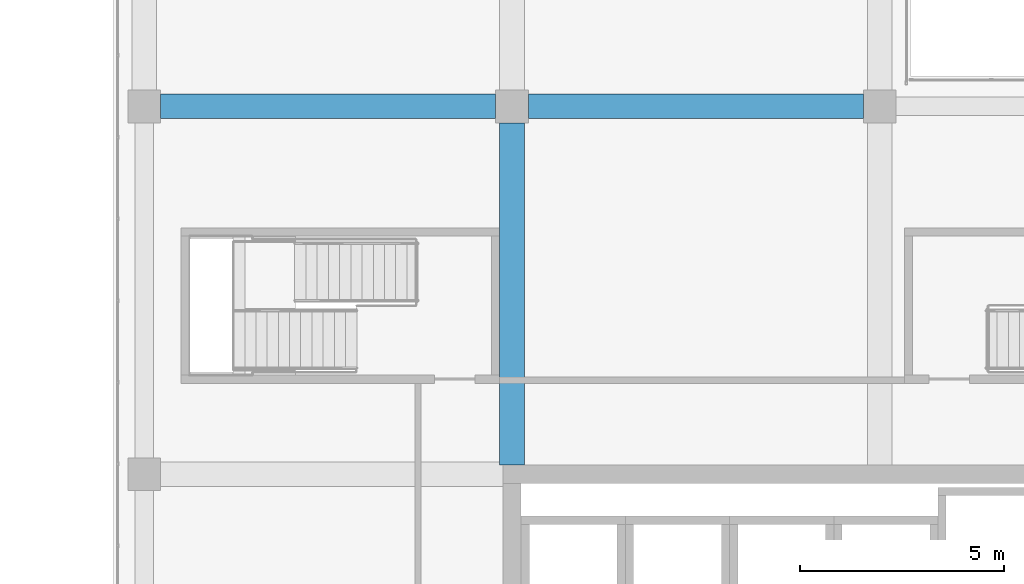
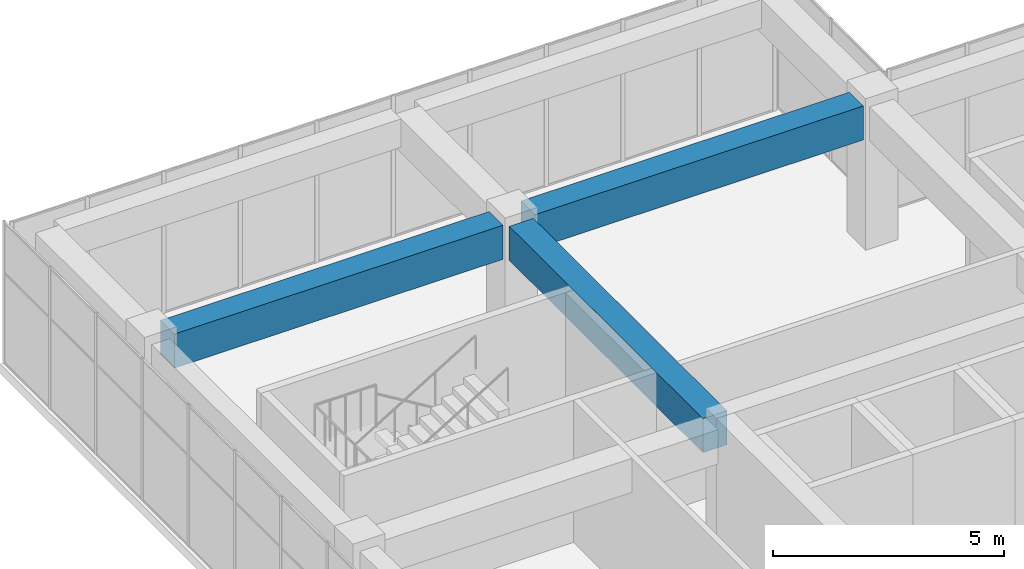
# One storey, part 31 of 66: 3 beams.
"""IFC4 building model written with IfcOpenShell, lengths in metres."""

from ifc_helpers import new_model, si_unit, direction, frame, origin, origin_2d, place, context, subcontext, project, spatial, rectangle, extrude, material, material_profile, profile_set, type_object, element, save


model = new_model("IFC4")

# Units and contexts
model_context = context("Model", 3, precision=1e-05, world=origin(), true_north=direction((0.0, 1.0)))
body_context = subcontext(model_context, "Body", "Model", "MODEL_VIEW")
ifc_project = project(units=[si_unit("LENGTHUNIT", "METRE"), si_unit("AREAUNIT", "SQUARE_METRE"), si_unit("VOLUMEUNIT", "CUBIC_METRE"), si_unit("PLANEANGLEUNIT", "RADIAN"), si_unit("MASSUNIT", "GRAM", prefix="KILO")], contexts=[model_context])

# Site, building, storey
site_placement = place(None, origin())
site = spatial("IfcSite", under=ifc_project, at=site_placement, CompositionType="ELEMENT")
building_placement = place(site_placement, origin())
building = spatial("IfcBuilding", under=site, at=building_placement, Name="Tuart Plaza Theatre", CompositionType="ELEMENT")
storey_placement = place(building_placement, frame((0.0, 0.0, 5.5)))
storey = spatial("IfcBuildingStorey", under=building, at=storey_placement, Name="L01", CompositionType="ELEMENT", Elevation=5.5)

# Beams
ifc_material = material(Name="Concrete N40 (40 MPa)", Category="concrete")
ifc_material_profile = material_profile(ifc_material, rectangle(XDim=0.60009765625, YDim=0.89990234375, at=origin_2d()), Name="BEAM 600x900 Concrete N40 (40 MPa)")
ifc_profile_set = profile_set([ifc_material_profile], Name="Concrete N40 (40 MPa)")
beam_type = type_object("IfcBeamType", Name="BEAM 600x900 Concrete N40 (40 MPa)", PredefinedType="BEAM", material=ifc_profile_set)
beam_1_placement = place(storey_placement, frame((114.39990234375, 92.0, 3.300048828125), z_axis=(1.0, 0.0, 0.0), x_axis=(0.0, 1.0, 0.0)))
element("IfcBeam", 1, at=beam_1_placement, inside=storey, type_object=beam_type, Name="RB171", PredefinedType="BEAM", context=body_context, shape_type="SweptSolid", body=[
    extrude(rectangle(XDim=0.60009765625, YDim=0.89990234375, at=origin_2d()), origin(), (0.0, 0.0, 1.0), 8.2001953125),
])
beam_2_placement = place(storey_placement, frame((123.0, 83.22509765625, 3.300048828125), z_axis=(0.0, 1.0, 0.0), x_axis=(-1.0, 0.0, 0.0)))
element("IfcBeam", 2, at=beam_2_placement, inside=storey, type_object=beam_type, Name="RB177", PredefinedType="BEAM", context=body_context, shape_type="SweptSolid", body=[
    extrude(rectangle(XDim=0.60009765625, YDim=0.89990234375, at=origin_2d()), origin(), (0.0, 0.0, 1.0), 8.375),
])
beam_3_placement = place(storey_placement, frame((123.39990234375, 92.0, 3.300048828125), z_axis=(1.0, 0.0, 0.0), x_axis=(0.0, 1.0, 0.0)))
element("IfcBeam", 3, at=beam_3_placement, inside=storey, type_object=beam_type, Name="RB179", PredefinedType="BEAM", context=body_context, shape_type="SweptSolid", body=[
    extrude(rectangle(XDim=0.60009765625, YDim=0.89990234375, at=origin_2d()), origin(), (0.0, 0.0, 1.0), 8.2001953125),
])

save(model, "model.ifc")
